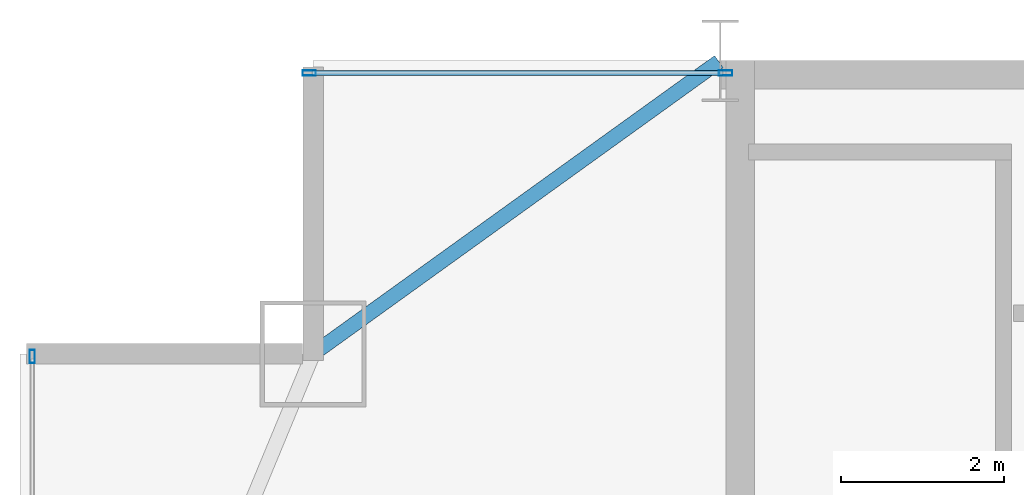
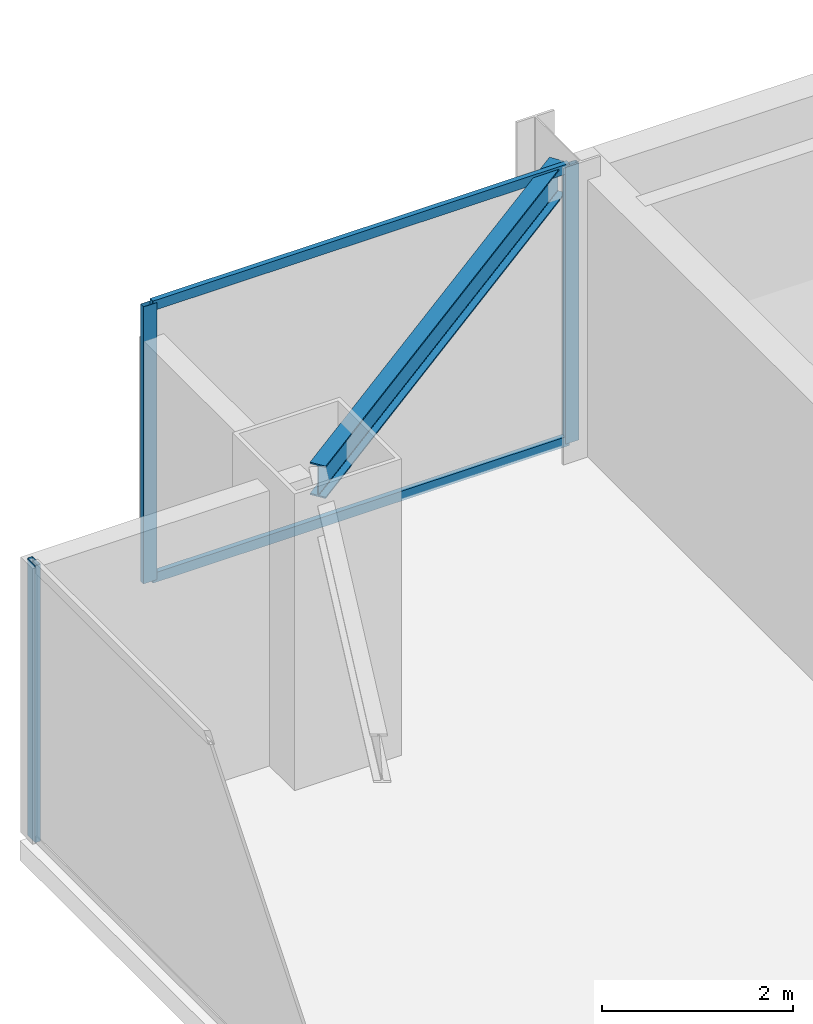
# One storey, part 20 of 31: 5 members, 1 beam, 2 elements without a shape of their own.
"""IFC4 building model written with IfcOpenShell, lengths in metres."""

from ifc_helpers import new_model, si_unit, direction, frame, origin, origin_2d, place, context, subcontext, project, spatial, hollow_rectangle, i_section, extrude, source, transform, mapped, material, layer, layer_set, material_profile, profile_set, type_object, type_shapes, element, aggregate, save


model = new_model("IFC4")

# Units and contexts
model_context = context("Model", 3, precision=1e-05, world=origin(), true_north=direction((0.0, 1.0)))
body_context = subcontext(model_context, "Body", "Model", "MODEL_VIEW")
ifc_project = project(units=[si_unit("LENGTHUNIT", "METRE"), si_unit("AREAUNIT", "SQUARE_METRE"), si_unit("VOLUMEUNIT", "CUBIC_METRE"), si_unit("PLANEANGLEUNIT", "RADIAN"), si_unit("MASSUNIT", "GRAM", prefix="KILO")], contexts=[model_context])

# Site, building, storey
site_placement = place(None, origin())
site = spatial("IfcSite", under=ifc_project, at=site_placement, CompositionType="ELEMENT")
building_placement = place(site_placement, origin())
building = spatial("IfcBuilding", under=site, at=building_placement, Name="Varnel Quay Broadcast Tower", CompositionType="ELEMENT")
storey_placement = place(building_placement, frame((0.0, 0.0, 157.199951171875)))
storey = spatial("IfcBuildingStorey", under=building, at=storey_placement, Name="L38", CompositionType="ELEMENT", Elevation=157.199951171875)

# Beam
ifc_material_1 = material(Name="Structural Steel CSA G40.21 350W", Category="steel")
ifc_material_profile_1 = material_profile(ifc_material_1, i_section(OverallWidth=0.180908203125, OverallDepth=0.4169921875, WebThickness=0.010986328125, FlangeThickness=0.018310546875, FilletRadius=0.011962890625, at=origin_2d()), Name="W410X85")
ifc_profile_set_1 = profile_set([ifc_material_profile_1], Name="Structural Steel CSA G40.21 350W")
beam_type = type_object("IfcBeamType", Name="Beam_W410X85", PredefinedType="SPANDREL", material=ifc_profile_set_1)
shared_shape_1 = source(origin(), body_context, "Body", "SweptSolid", [
    extrude(i_section(OverallWidth=0.180908203125, OverallDepth=0.4169921875, WebThickness=0.010986328125, FlangeThickness=0.018310546875, FilletRadius=0.011962890625, at=origin_2d()), origin(), (0.0, 0.0, 1.0), 6.12109375),
])
type_shapes(beam_type, [shared_shape_1])
beam_placement = place(storey_placement, frame((10.6162109375, 43.211669921875, 3.341552734375), z_axis=(0.811531315425, 0.584308928637, 0.0), x_axis=(-0.584308928637, 0.811531315425, 0.0)))
element("IfcBeam", 1, at=beam_placement, inside=storey, type_object=beam_type, Name="L38 NW Tie Spandrel", PredefinedType="SPANDREL", context=body_context, shape_type="MappedRepresentation", body=[
    mapped(shared_shape_1, transform((0.0, 0.0, 0.0), x_axis=(1.0, 0.0, 0.0), y_axis=(0.0, 1.0, 0.0), z_axis=(0.0, 0.0, 1.0), scale=1.0)),
])

# Curtain wall, member
ifc_material_2 = material(Name="Anodised Bronze Aluminium 6063-T6", Category="aluminium")
ifc_layer = layer(ifc_material_2, 0.18994140625, Name="Anodised Bronze Aluminium 6063-T6")
ifc_layer_set = layer_set([ifc_layer], Name="Anodised Bronze Aluminium 6063-T6")
curtain_wall_type = type_object("IfcCurtainWallType", Name="CW_UpperTower", PredefinedType="NOTDEFINED", material=ifc_layer_set)
curtain_wall_1_placement = place(storey_placement, origin())
curtain_wall_1 = element("IfcCurtainWall", 2, at=curtain_wall_1_placement, inside=storey, type_object=curtain_wall_type, Name="L38 West Unitised Curtain Wall", PredefinedType="NOTDEFINED")
ifc_material_profile_2 = material_profile(ifc_material_2, hollow_rectangle(XDim=0.06494140625, YDim=0.1650390625, WallThickness=0.00341796875, at=origin_2d()), Name="ALU65X165X3.5")
ifc_profile_set_2 = profile_set([ifc_material_profile_2], Name="Anodised Bronze Aluminium 6063-T6")
member_type_1 = type_object("IfcMemberType", Name="Mull_CWS-03", PredefinedType="MULLION", material=ifc_profile_set_2)
shared_shape_2 = source(origin(), body_context, "Body", "SweptSolid", [
    extrude(hollow_rectangle(XDim=0.06494140625, YDim=0.1650390625, WallThickness=0.00341796875, at=origin_2d()), origin(), (0.0, 0.0, 1.0), 3.550048828125),
])
type_shapes(member_type_1, [shared_shape_2])
member_1_placement = place(storey_placement, frame((7.14990234375, 43.16748046875, 0.0), z_axis=(0.0, 0.0, 1.0), x_axis=(-1.0, 0.0, 0.0)))
member_1 = element("IfcMember", 3, at=member_1_placement, type_object=member_type_1, Name="CWS-03 mullion 4", PredefinedType="MULLION", context=body_context, shape_type="MappedRepresentation", body=[
    mapped(shared_shape_2, transform((0.0, 0.0, 0.0), x_axis=(1.0, 0.0, 0.0), y_axis=(0.0, 1.0, 0.0), z_axis=(0.0, 0.0, 1.0), scale=1.0)),
])
aggregate(curtain_wall_1, [member_1])

# Curtain wall, members
curtain_wall_2_placement = place(storey_placement, origin())
curtain_wall_2 = element("IfcCurtainWall", 4, at=curtain_wall_2_placement, inside=storey, type_object=curtain_wall_type, Name="L38 NW Wing Curtain Wall", PredefinedType="NOTDEFINED")
member_2_placement = place(storey_placement, frame((10.552490234375, 46.64990234375, 0.0), z_axis=(0.0, 0.0, 1.0), x_axis=(0.0, 1.0, 0.0)))
member_2 = element("IfcMember", 5, at=member_2_placement, type_object=member_type_1, Name="CWS-03 mullion 1", PredefinedType="MULLION", context=body_context, shape_type="MappedRepresentation", body=[
    mapped(shared_shape_2, transform((0.0, 0.0, 0.0), x_axis=(1.0, 0.0, 0.0), y_axis=(0.0, 1.0, 0.0), z_axis=(0.0, 0.0, 1.0), scale=1.0)),
])
member_3_placement = place(storey_placement, frame((15.66748046875, 46.64990234375, 0.0), z_axis=(0.0, 0.0, 1.0), x_axis=(0.0, 1.0, 0.0)))
member_3 = element("IfcMember", 6, at=member_3_placement, type_object=member_type_1, Name="CWS-03 mullion 2", PredefinedType="MULLION", context=body_context, shape_type="MappedRepresentation", body=[
    mapped(shared_shape_2, transform((0.0, 0.0, 0.0), x_axis=(1.0, 0.0, 0.0), y_axis=(0.0, 1.0, 0.0), z_axis=(0.0, 0.0, 1.0), scale=1.0)),
])
ifc_material_profile_3 = material_profile(ifc_material_2, hollow_rectangle(XDim=0.06005859375, YDim=0.125, WallThickness=0.0029296875, at=origin_2d()), Name="ALU60X125X3")
ifc_profile_set_3 = profile_set([ifc_material_profile_3], Name="Anodised Bronze Aluminium 6063-T6")
member_type_2 = type_object("IfcMemberType", Name="Tran_CWS-03", PredefinedType="USERDEFINED", material=ifc_profile_set_3)
shared_shape_3 = source(origin(), body_context, "Body", "SweptSolid", [
    extrude(hollow_rectangle(XDim=0.06005859375, YDim=0.125, WallThickness=0.0029296875, at=origin_2d()), origin(), (0.0, 0.0, 1.0), 5.050048828125),
])
type_shapes(member_type_2, [shared_shape_3])
member_4_placement = place(storey_placement, frame((10.5849609375, 46.64990234375, 0.030029296875), z_axis=(1.0, 0.0, 0.0), x_axis=(0.0, 1.0, 0.0)))
member_4 = element("IfcMember", 7, at=member_4_placement, type_object=member_type_2, Name="CWS-03 transom 1.1", ObjectType="TRANSOM", PredefinedType="USERDEFINED", context=body_context, shape_type="MappedRepresentation", body=[
    mapped(shared_shape_3, transform((0.0, 0.0, 0.0), x_axis=(1.0, 0.0, 0.0), y_axis=(0.0, 1.0, 0.0), z_axis=(0.0, 0.0, 1.0), scale=1.0)),
])
member_5_placement = place(storey_placement, frame((10.5849609375, 46.64990234375, 3.52001953125), z_axis=(1.0, 0.0, 0.0), x_axis=(0.0, 1.0, 0.0)))
member_5 = element("IfcMember", 8, at=member_5_placement, type_object=member_type_2, Name="CWS-03 transom 1.2", ObjectType="TRANSOM", PredefinedType="USERDEFINED", context=body_context, shape_type="MappedRepresentation", body=[
    mapped(shared_shape_3, transform((0.0, 0.0, 0.0), x_axis=(1.0, 0.0, 0.0), y_axis=(0.0, 1.0, 0.0), z_axis=(0.0, 0.0, 1.0), scale=1.0)),
])
aggregate(curtain_wall_2, [member_2, member_3, member_4, member_5])

save(model, "model.ifc")
